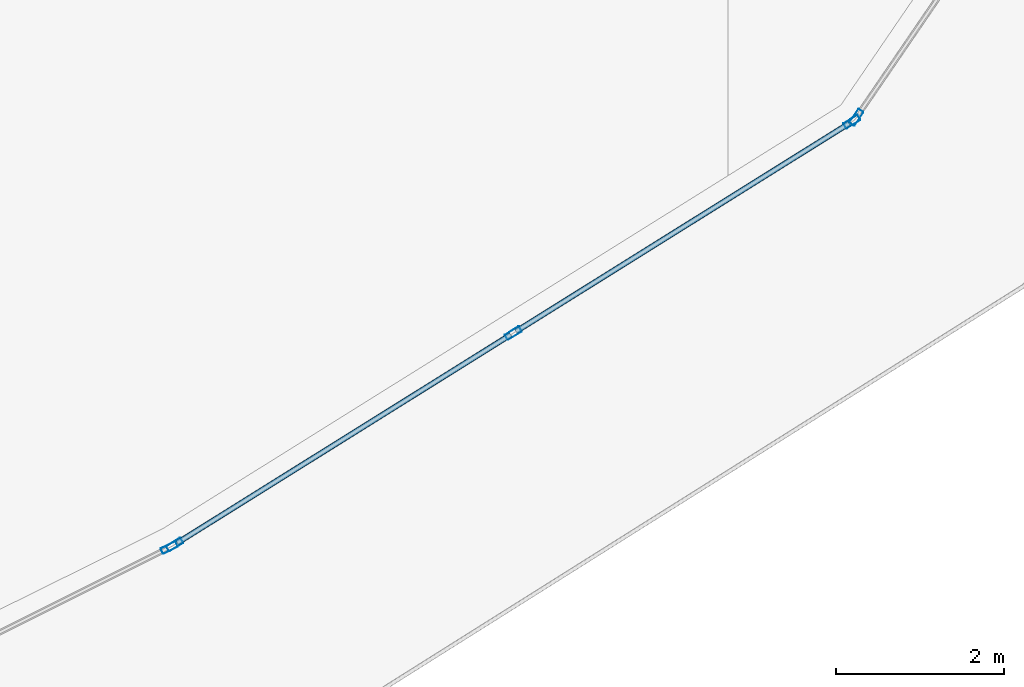
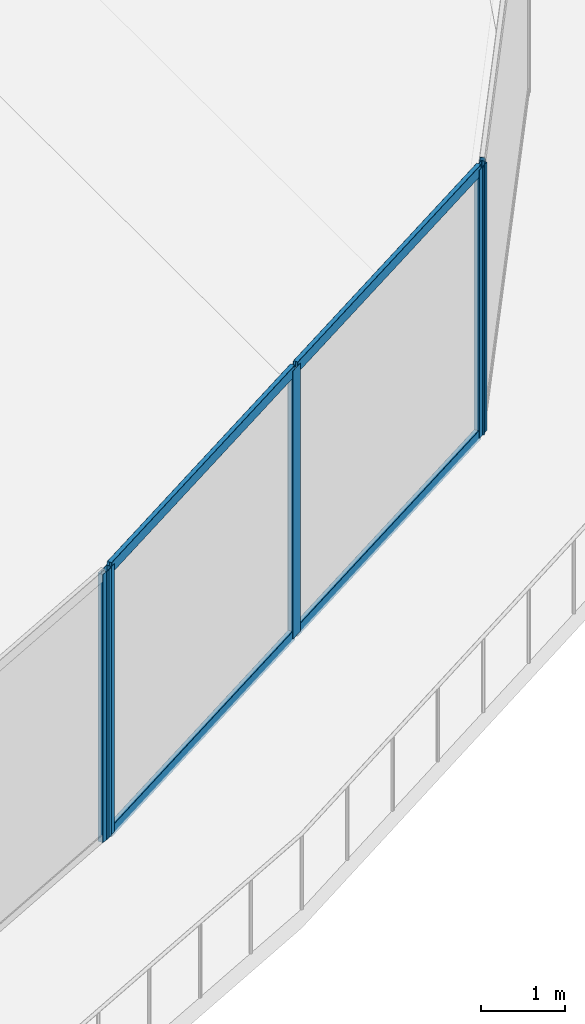
# One storey, part 9 of 47: 9 members, 3 elements without a shape of their own.
"""IFC4 building model written with IfcOpenShell, lengths in metres."""

from ifc_helpers import new_model, si_unit, direction, frame, origin, origin_2d, place, context, subcontext, project, spatial, hollow_rectangle, extrude, material, layer, layer_set, material_profile, profile_set, type_object, element, aggregate, save


model = new_model("IFC4")

# Units and contexts
model_context = context("Model", 3, precision=1e-05, world=origin(), true_north=direction((0.0, 1.0)))
body_context = subcontext(model_context, "Body", "Model", "MODEL_VIEW")
ifc_project = project(units=[si_unit("LENGTHUNIT", "METRE"), si_unit("AREAUNIT", "SQUARE_METRE"), si_unit("VOLUMEUNIT", "CUBIC_METRE"), si_unit("PLANEANGLEUNIT", "RADIAN"), si_unit("MASSUNIT", "GRAM", prefix="KILO")], contexts=[model_context])

# Site, building, storey
site_placement = place(None, origin())
site = spatial("IfcSite", under=ifc_project, at=site_placement, CompositionType="ELEMENT")
building_placement = place(site_placement, origin())
building = spatial("IfcBuilding", under=site, at=building_placement, Name="Qorvath Tower", CompositionType="ELEMENT")
storey_placement = place(building_placement, frame((0.0, 0.0, 82.800048828125)))
storey = spatial("IfcBuildingStorey", under=building, at=storey_placement, Name="L18", CompositionType="ELEMENT", Elevation=82.800048828125)

# Curtain wall, member
ifc_material_1 = material(Name="Anodised aluminium and triple low-E glass", Category="aluminium")
ifc_layer = layer(ifc_material_1, 0.179931640625)
ifc_layer_set = layer_set([ifc_layer], Name="CW-SYS-5")
curtain_wall_type = type_object("IfcCurtainWallType", Name="CW-SYS-5", PredefinedType="NOTDEFINED", material=ifc_layer_set)
curtain_wall_1_placement = place(storey_placement, origin())
curtain_wall_1 = element("IfcCurtainWall", 1, at=curtain_wall_1_placement, inside=storey, type_object=curtain_wall_type, Name="Curtain Wall CW-5 CW-T-L18-7.1", PredefinedType="NOTDEFINED")
ifc_material_2 = material(Name="Anodised aluminium 6063-T6", Category="aluminium")
ifc_material_profile_1 = material_profile(ifc_material_2, hollow_rectangle(XDim=0.074951171875, YDim=0.199951171875, WallThickness=0.00390625, InnerFilletRadius=0.00390625, OuterFilletRadius=0.008056640625, at=origin_2d()), Name="CWM 200x75")
ifc_profile_set_1 = profile_set([ifc_material_profile_1], Name="Anodised aluminium 6063-T6")
member_type_1 = type_object("IfcMemberType", Name="CWM-200", PredefinedType="MULLION", material=ifc_profile_set_1)
member_1_placement = place(storey_placement, frame((-10.817626953125, -29.687744140625, 0.0), z_axis=(0.0, 0.0, 1.0), x_axis=(-0.447190081713, 0.894438947507, 0.0)))
member_1 = element("IfcMember", 2, at=member_1_placement, type_object=member_type_1, Name="CW-5 mullion 2", PredefinedType="MULLION", context=body_context, shape_type="SweptSolid", body=[
    extrude(hollow_rectangle(XDim=0.074951171875, YDim=0.199951171875, WallThickness=0.00390625, InnerFilletRadius=0.00390625, OuterFilletRadius=0.008056640625, at=origin_2d()), origin(), (0.0, 0.0, 1.0), 3.919921875),
])
aggregate(curtain_wall_1, [member_1])

# Curtain wall, members
curtain_wall_2_placement = place(storey_placement, origin())
curtain_wall_2 = element("IfcCurtainWall", 3, at=curtain_wall_2_placement, inside=storey, type_object=curtain_wall_type, Name="Curtain Wall CW-5 CW-T-L18-8.1", PredefinedType="NOTDEFINED")
member_2_placement = place(storey_placement, frame((-10.75244140625, -29.651123046875, 0.0), z_axis=(0.0, 0.0, 1.0), x_axis=(-0.529624942243, 0.848231937947, 0.0)))
member_2 = element("IfcMember", 4, at=member_2_placement, type_object=member_type_1, Name="CW-5 mullion 1", PredefinedType="MULLION", context=body_context, shape_type="SweptSolid", body=[
    extrude(hollow_rectangle(XDim=0.074951171875, YDim=0.199951171875, WallThickness=0.00390625, InnerFilletRadius=0.00390625, OuterFilletRadius=0.008056640625, at=origin_2d()), origin(), (0.0, 0.0, 1.0), 3.919921875),
])
member_3_placement = place(storey_placement, frame((-6.726806640625, -27.137451171875, 0.0), z_axis=(0.0, 0.0, 1.0), x_axis=(-0.529624942243, 0.848231937947, 0.0)))
member_3 = element("IfcMember", 5, at=member_3_placement, type_object=member_type_1, Name="CW-5 mullion 2", PredefinedType="MULLION", context=body_context, shape_type="SweptSolid", body=[
    extrude(hollow_rectangle(XDim=0.074951171875, YDim=0.199951171875, WallThickness=0.00390625, InnerFilletRadius=0.00390625, OuterFilletRadius=0.008056640625, at=origin_2d()), origin(), (0.0, 0.0, 1.0), 3.919921875),
])
member_4_placement = place(storey_placement, frame((-2.700927734375, -24.623779296875, 0.0), z_axis=(0.0, 0.0, 1.0), x_axis=(-0.529624942243, 0.848231937947, 0.0)))
member_4 = element("IfcMember", 6, at=member_4_placement, type_object=member_type_1, Name="CW-5 mullion 3", PredefinedType="MULLION", context=body_context, shape_type="SweptSolid", body=[
    extrude(hollow_rectangle(XDim=0.074951171875, YDim=0.199951171875, WallThickness=0.00390625, InnerFilletRadius=0.00390625, OuterFilletRadius=0.008056640625, at=origin_2d()), origin(), (0.0, 0.0, 1.0), 3.919921875),
])

# Curtain wall, member
curtain_wall_3_placement = place(storey_placement, origin())
curtain_wall_3 = element("IfcCurtainWall", 7, at=curtain_wall_3_placement, inside=storey, type_object=curtain_wall_type, Name="Curtain Wall CW-5 CW-T-L18-9.1", PredefinedType="NOTDEFINED")
member_5_placement = place(storey_placement, frame((-2.64794921875, -24.572998046875, 0.0), z_axis=(0.0, 0.0, 1.0), x_axis=(-0.825750255931, 0.564035916259, 0.0)))
member_5 = element("IfcMember", 8, at=member_5_placement, type_object=member_type_1, Name="CW-5 mullion 1", PredefinedType="MULLION", context=body_context, shape_type="SweptSolid", body=[
    extrude(hollow_rectangle(XDim=0.074951171875, YDim=0.199951171875, WallThickness=0.00390625, InnerFilletRadius=0.00390625, OuterFilletRadius=0.008056640625, at=origin_2d()), origin(), (0.0, 0.0, 1.0), 3.919921875),
])
aggregate(curtain_wall_3, [member_5])

# Member
ifc_material_3 = material(Name="Anodised aluminium 6063-T6", Category="aluminium")
ifc_material_profile_2 = material_profile(ifc_material_3, hollow_rectangle(XDim=0.06494140625, YDim=0.159912109375, WallThickness=0.00341796875, InnerFilletRadius=0.00341796875, OuterFilletRadius=0.007080078125, at=origin_2d()), Name="CWT 160x65")
ifc_profile_set_2 = profile_set([ifc_material_profile_2], Name="Anodised aluminium 6063-T6")
member_type_2 = type_object("IfcMemberType", Name="CWT-160", PredefinedType="USERDEFINED", material=ifc_profile_set_2)
member_6_placement = place(storey_placement, frame((-10.720703125, -29.631103515625, 0.032470703125), z_axis=(0.848236061406, 0.529618338174, 0.0), x_axis=(-0.529618338174, 0.848236061406, 0.0)))
member_6 = element("IfcMember", 9, at=member_6_placement, type_object=member_type_2, Name="CW-5 transom 1.1", ObjectType="TRANSOM", PredefinedType="USERDEFINED", context=body_context, shape_type="SweptSolid", body=[
    extrude(hollow_rectangle(XDim=0.06494140625, YDim=0.159912109375, WallThickness=0.00341796875, InnerFilletRadius=0.00341796875, OuterFilletRadius=0.007080078125, at=origin_2d()), origin(), (0.0, 0.0, 1.0), 4.671142578125),
])

member_7_placement = place(storey_placement, frame((-10.720703125, -29.631103515625, 3.887451171875), z_axis=(0.848236061406, 0.529618338174, 0.0), x_axis=(-0.529618338174, 0.848236061406, 0.0)))
member_7 = element("IfcMember", 10, at=member_7_placement, type_object=member_type_2, Name="CW-5 transom 1.2", ObjectType="TRANSOM", PredefinedType="USERDEFINED", context=body_context, shape_type="SweptSolid", body=[
    extrude(hollow_rectangle(XDim=0.06494140625, YDim=0.159912109375, WallThickness=0.00341796875, InnerFilletRadius=0.00341796875, OuterFilletRadius=0.007080078125, at=origin_2d()), origin(), (0.0, 0.0, 1.0), 4.671142578125),
])

member_8_placement = place(storey_placement, frame((-6.69482421875, -27.11767578125, 0.032470703125), z_axis=(0.848221399856, 0.52964181937, 0.0), x_axis=(-0.52964181937, 0.848221399856, 0.0)))
member_8 = element("IfcMember", 11, at=member_8_placement, type_object=member_type_2, Name="CW-5 transom 2.1", ObjectType="TRANSOM", PredefinedType="USERDEFINED", context=body_context, shape_type="SweptSolid", body=[
    extrude(hollow_rectangle(XDim=0.06494140625, YDim=0.159912109375, WallThickness=0.00341796875, InnerFilletRadius=0.00341796875, OuterFilletRadius=0.007080078125, at=origin_2d()), origin(), (0.0, 0.0, 1.0), 4.6708984375),
])

member_9_placement = place(storey_placement, frame((-6.69482421875, -27.11767578125, 3.887451171875), z_axis=(0.848221399856, 0.52964181937, 0.0), x_axis=(-0.52964181937, 0.848221399856, 0.0)))
member_9 = element("IfcMember", 12, at=member_9_placement, type_object=member_type_2, Name="CW-5 transom 2.2", ObjectType="TRANSOM", PredefinedType="USERDEFINED", context=body_context, shape_type="SweptSolid", body=[
    extrude(hollow_rectangle(XDim=0.06494140625, YDim=0.159912109375, WallThickness=0.00341796875, InnerFilletRadius=0.00341796875, OuterFilletRadius=0.007080078125, at=origin_2d()), origin(), (0.0, 0.0, 1.0), 4.6708984375),
])

aggregate(curtain_wall_2, [member_2, member_3, member_4, member_6, member_7, member_8, member_9])

save(model, "model.ifc")
